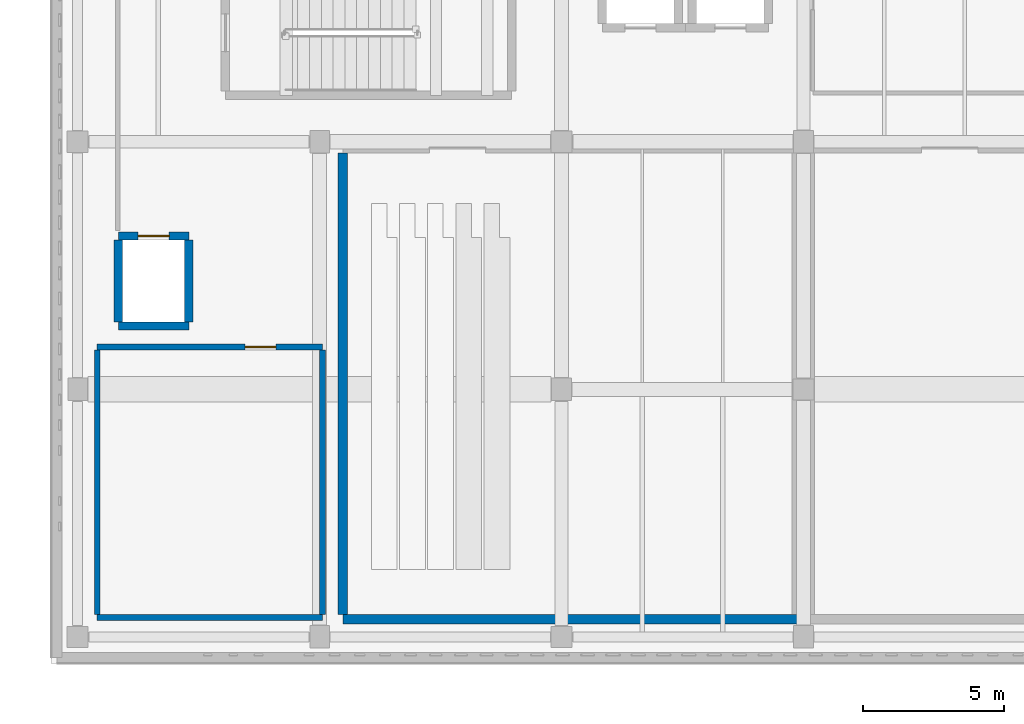
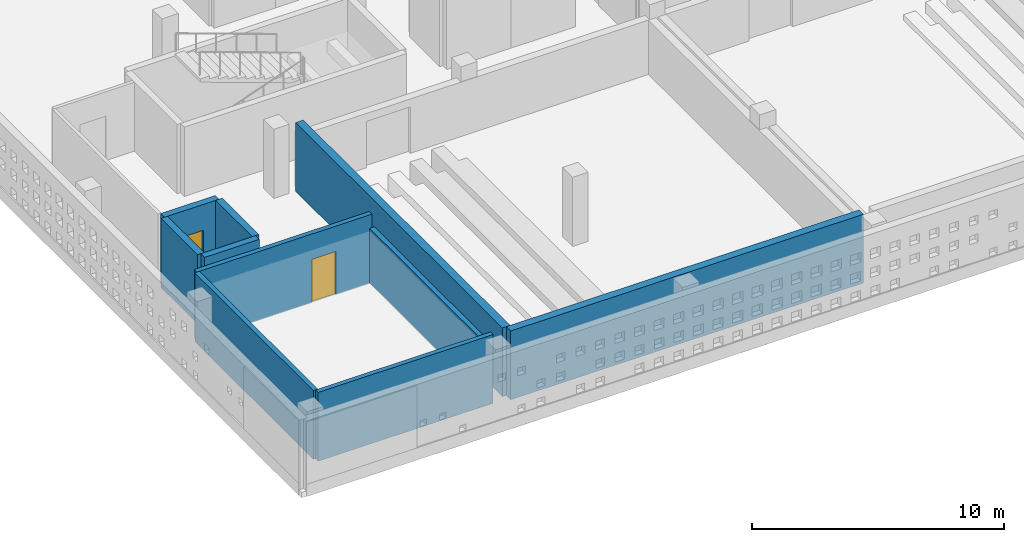
# One storey, part 73 of 93: 10 walls, 2 doors, 2 openings.
"""IFC4 building model written with IfcOpenShell, lengths in metres."""

from ifc_helpers import new_model, si_unit, direction, frame, frame_2d, origin, place, context, subcontext, project, spatial, rectangle, extrude, material, layer, layer_set, type_object, element, fill, save


model = new_model("IFC4")

# Units and contexts
model_context = context("Model", 3, precision=1e-05, world=origin(), true_north=direction((0.0, 1.0)))
body_context = subcontext(model_context, "Body", "Model", "MODEL_VIEW")
ifc_project = project(units=[si_unit("LENGTHUNIT", "METRE"), si_unit("AREAUNIT", "SQUARE_METRE"), si_unit("VOLUMEUNIT", "CUBIC_METRE"), si_unit("PLANEANGLEUNIT", "RADIAN"), si_unit("MASSUNIT", "GRAM", prefix="KILO")], contexts=[model_context])

# Site, building, storey
site_placement = place(None, origin())
site = spatial("IfcSite", under=ifc_project, at=site_placement, CompositionType="ELEMENT")
building_placement = place(site_placement, origin())
building = spatial("IfcBuilding", under=site, at=building_placement, Name="Varnakota Cinema and Media Centre", CompositionType="ELEMENT")
storey_placement = place(building_placement, frame((0.0, 0.0, 12.0)))
storey = spatial("IfcBuildingStorey", under=building, at=storey_placement, Name="L03", CompositionType="ELEMENT", Elevation=12.0)

# Walls
ifc_material_1 = material(Name="Autoclaved aerated concrete blockwork", Category="masonry")
ifc_layer_1 = layer(ifc_material_1, 0.2099609375)
ifc_layer_set_1 = layer_set([ifc_layer_1], Name="Autoclaved aerated concrete blockwork")
wall_type_1 = type_object("IfcWallType", Name="W-ACOUST-210", PredefinedType="PARTITIONING", material=ifc_layer_set_1)
wall_1_placement = place(storey_placement, frame((8.705078125, 0.695068359375, 0.0), z_axis=(0.0, 0.0, 1.0), x_axis=(-1.0, 0.0, 0.0)))
element("IfcWall", 1, at=wall_1_placement, inside=storey, type_object=wall_type_1, Name="L03 RWALL-RM-L03-V4SW S wall", PredefinedType="PARTITIONING", context=body_context, shape_type="SweptSolid", body=[
    extrude(rectangle(XDim=8.010009765625, YDim=0.2099609375, at=frame_2d((4.0048828125, 0.0))), origin(), (0.0, 0.0, 1.0), 3.330078125),
])
wall_2_placement = place(storey_placement, frame((0.695068359375, 0.800048828125, 0.0), z_axis=(0.0, 0.0, 1.0), x_axis=(0.0, 1.0, 0.0)))
element("IfcWall", 2, at=wall_2_placement, inside=storey, type_object=wall_type_1, Name="L03 RWALL-RM-L03-V4SW W wall", PredefinedType="PARTITIONING", context=body_context, shape_type="SweptSolid", body=[
    extrude(rectangle(XDim=9.39990234375, YDim=0.2099609375, at=frame_2d((4.699951171875, 0.0))), origin(), (0.0, 0.0, 1.0), 3.330078125),
])

# Wall, opening, door
wall_3_placement = place(storey_placement, frame((0.695068359375, 10.304931640625, 0.0), z_axis=(0.0, 0.0, 1.0), x_axis=(1.0, 0.0, 0.0)))
wall_3 = element("IfcWall", 3, at=wall_3_placement, inside=storey, type_object=wall_type_1, Name="L03 RWALL-RM-L03-V4SW N wall", PredefinedType="PARTITIONING", context=body_context, shape_type="SweptSolid", body=[
    extrude(rectangle(XDim=8.010009765625, YDim=0.2099609375, at=frame_2d((4.0048828125, 0.0))), origin(), (0.0, 0.0, 1.0), 3.330078125),
])
opening_1_placement = place(wall_3_placement, frame((5.2548828125, 0.0, 0.0)))
opening_1 = element("IfcOpeningElement", 4, at=opening_1_placement, cuts=wall_3, Name="Opening D-096", PredefinedType="OPENING", context=body_context, shape_type="SweptSolid", body=[
    extrude(rectangle(XDim=1.10009765625, YDim=2.10009765625, at=frame_2d((0.550048828125, 1.050048828125))), frame((0.0, 0.10498046875, 0.0), z_axis=(0.0, -1.0, 0.0), x_axis=(1.0, 0.0, 0.0)), (0.0, 0.0, 1.0), 0.2099609375),
])
ifc_material_2 = material(Name="Thermally broken anodised aluminium AW-6063", Category="aluminium")
door_type_1 = type_object("IfcDoorType", Name="DR-STD-1100x2100", OperationType="NOTDEFINED", PredefinedType="DOOR", material=ifc_material_2)
door_1_placement = place(opening_1_placement, origin())
door_1 = element("IfcDoor", 5, at=door_1_placement, inside=storey, type_object=door_type_1, Name="L03 door D-096", OperationType="SINGLE_SWING_RIGHT", OverallHeight=2.10009765625, OverallWidth=1.10009765625, PredefinedType="DOOR", context=body_context, shape_type="SweptSolid", body=[
    extrude(rectangle(XDim=1.10009765625, YDim=2.10009765625, at=frame_2d((0.550048828125, 1.050048828125))), frame((0.0, 0.02490234375, 0.0), z_axis=(0.0, -1.0, 0.0), x_axis=(1.0, 0.0, 0.0)), (0.0, 0.0, 1.0), 0.050048828125),
])
fill(opening_1, door_1)

# Walls
wall_4_placement = place(storey_placement, frame((8.705078125, 10.199951171875, 0.0), z_axis=(0.0, 0.0, 1.0), x_axis=(0.0, -1.0, 0.0)))
element("IfcWall", 6, at=wall_4_placement, inside=storey, type_object=wall_type_1, Name="L03 RWALL-RM-L03-V4SW E wall", PredefinedType="PARTITIONING", context=body_context, shape_type="SweptSolid", body=[
    extrude(rectangle(XDim=9.39990234375, YDim=0.2099609375, at=frame_2d((4.699951171875, 0.0))), origin(), (0.0, 0.0, 1.0), 2.679931640625),
])
ifc_material_3 = material(Name="Concrete M40", Category="concrete")
ifc_layer_2 = layer(ifc_material_3, 0.300048828125)
ifc_layer_set_2 = layer_set([ifc_layer_2], Name="Concrete M40")
wall_type_2 = type_object("IfcWallType", Name="W-CORE-300", PredefinedType="SHEAR", material=ifc_layer_set_2)
wall_5_placement = place(storey_placement, frame((3.949951171875, 11.050048828125, 0.0), z_axis=(0.0, 0.0, 1.0), x_axis=(-1.0, 0.0, 0.0)))
element("IfcWall", 7, at=wall_5_placement, inside=storey, type_object=wall_type_2, Name="L03 LSHAFT-LF-01-L03 S wall", PredefinedType="SHEAR", context=body_context, shape_type="SweptSolid", body=[
    extrude(rectangle(XDim=2.5, YDim=0.300048828125, at=frame_2d((1.25, 0.0))), origin(), (0.0, 0.0, 1.0), 3.35009765625),
])
wall_6_placement = place(storey_placement, frame((1.449951171875, 11.199951171875, 0.0), z_axis=(0.0, 0.0, 1.0), x_axis=(0.0, 1.0, 0.0)))
element("IfcWall", 8, at=wall_6_placement, inside=storey, type_object=wall_type_2, Name="L03 LSHAFT-LF-01-L03 W wall", PredefinedType="SHEAR", context=body_context, shape_type="SweptSolid", body=[
    extrude(rectangle(XDim=2.900146484375, YDim=0.300048828125, at=frame_2d((1.4501953125, 0.0))), origin(), (0.0, 0.0, 1.0), 3.35009765625),
])

# Wall, opening, door
wall_7_placement = place(storey_placement, frame((1.449951171875, 14.25, 0.0), z_axis=(0.0, 0.0, 1.0), x_axis=(1.0, 0.0, 0.0)))
wall_7 = element("IfcWall", 9, at=wall_7_placement, inside=storey, type_object=wall_type_2, Name="L03 LSHAFT-LF-01-L03 N wall", PredefinedType="SHEAR", context=body_context, shape_type="SweptSolid", body=[
    extrude(rectangle(XDim=2.5, YDim=0.300048828125, at=frame_2d((1.25, 0.0))), origin(), (0.0, 0.0, 1.0), 3.35009765625),
])
opening_2_placement = place(wall_7_placement, frame((0.699951171875, 0.0, 0.0)))
opening_2 = element("IfcOpeningElement", 10, at=opening_2_placement, cuts=wall_7, Name="Opening LD-01", PredefinedType="OPENING", context=body_context, shape_type="SweptSolid", body=[
    extrude(rectangle(XDim=1.10009765625, YDim=2.10009765625, at=frame_2d((0.550048828125, 1.050048828125))), frame((0.0, 0.14990234375, 0.0), z_axis=(0.0, -1.0, 0.0), x_axis=(1.0, 0.0, 0.0)), (0.0, 0.0, 1.0), 0.300048828125),
])
ifc_material_4 = material(Name="Thermally broken anodised aluminium AW-6063", Category="aluminium")
door_type_2 = type_object("IfcDoorType", Name="DR-LIFT-1100x2100", OperationType="SLIDING_TO_LEFT", PredefinedType="DOOR", material=ifc_material_4)
door_2_placement = place(opening_2_placement, origin())
door_2 = element("IfcDoor", 11, at=door_2_placement, inside=storey, type_object=door_type_2, Name="L03 door LD-01", OperationType="SLIDING_TO_LEFT", OverallHeight=2.10009765625, OverallWidth=1.10009765625, PredefinedType="DOOR", context=body_context, shape_type="SweptSolid", body=[
    extrude(rectangle(XDim=1.10009765625, YDim=2.10009765625, at=frame_2d((0.550048828125, 1.050048828125))), frame((0.0, 0.02490234375, 0.0), z_axis=(0.0, -1.0, 0.0), x_axis=(1.0, 0.0, 0.0)), (0.0, 0.0, 1.0), 0.050048828125),
])
fill(opening_2, door_2)

# Walls
wall_8_placement = place(storey_placement, frame((3.949951171875, 14.10009765625, 0.0), z_axis=(0.0, 0.0, 1.0), x_axis=(0.0, -1.0, 0.0)))
element("IfcWall", 12, at=wall_8_placement, inside=storey, type_object=wall_type_2, Name="L03 LSHAFT-LF-01-L03 E wall", PredefinedType="SHEAR", context=body_context, shape_type="SweptSolid", body=[
    extrude(rectangle(XDim=2.900146484375, YDim=0.300048828125, at=frame_2d((1.4501953125, 0.0))), origin(), (0.0, 0.0, 1.0), 3.35009765625),
])
ifc_material_5 = material(Name="Concrete M40", Category="concrete")
ifc_layer_3 = layer(ifc_material_5, 0.35009765625)
ifc_layer_set_3 = layer_set([ifc_layer_3], Name="Concrete M40")
wall_type_3 = type_object("IfcWallType", Name="W-SEP-350", PredefinedType="SOLIDWALL", material=ifc_layer_set_3)
wall_9_placement = place(storey_placement, frame((25.574951171875, 0.625, 0.0), z_axis=(0.0, 0.0, 1.0), x_axis=(-1.0, 0.0, 0.0)))
element("IfcWall", 13, at=wall_9_placement, inside=storey, type_object=wall_type_3, Name="L03 RWALL-RM-L03-SCR4 S wall", PredefinedType="SOLIDWALL", context=body_context, shape_type="SweptSolid", body=[
    extrude(rectangle(XDim=16.14990234375, YDim=0.35009765625, at=frame_2d((8.074951171875, 0.0))), origin(), (0.0, 0.0, 1.0), 3.330078125),
])
wall_10_placement = place(storey_placement, frame((9.425048828125, 0.800048828125, 0.0), z_axis=(0.0, 0.0, 1.0), x_axis=(0.0, 1.0, 0.0)))
element("IfcWall", 14, at=wall_10_placement, inside=storey, type_object=wall_type_3, Name="L03 RWALL-RM-L03-SCR4 W wall", PredefinedType="SOLIDWALL", context=body_context, shape_type="SweptSolid", body=[
    extrude(rectangle(XDim=16.39990234375, YDim=0.35009765625, at=frame_2d((8.199951171875, 0.0))), origin(), (0.0, 0.0, 1.0), 3.330078125),
])

save(model, "model.ifc")
